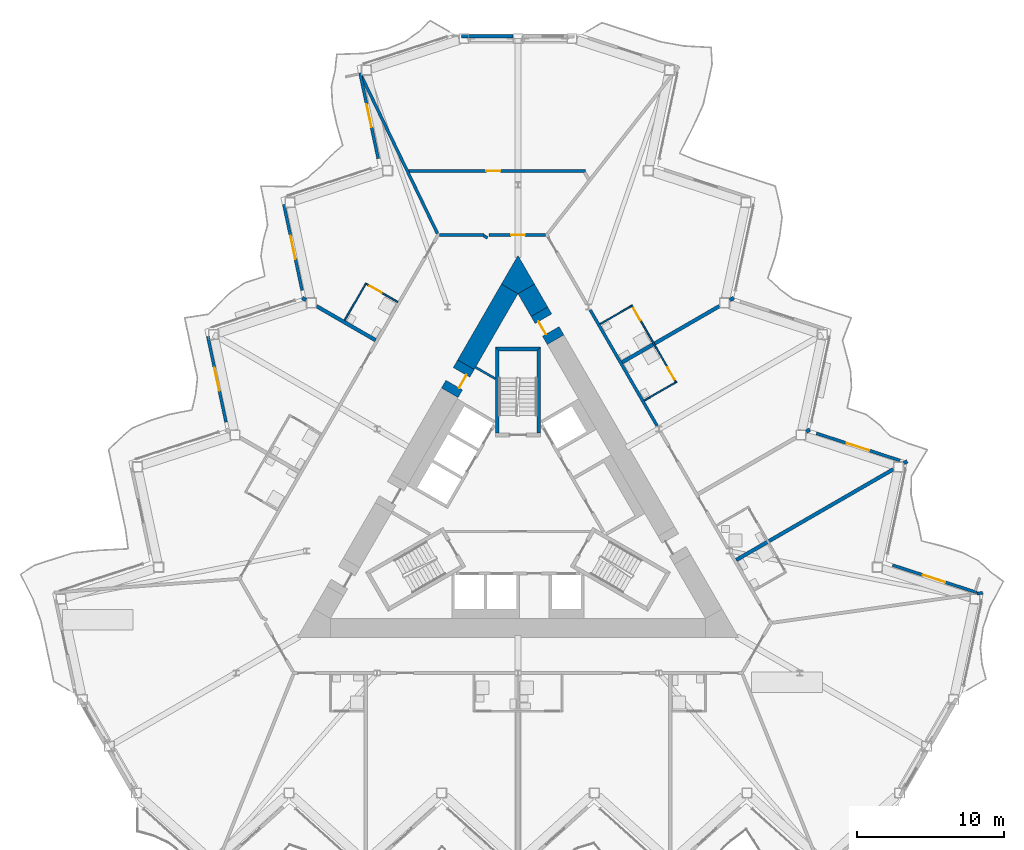
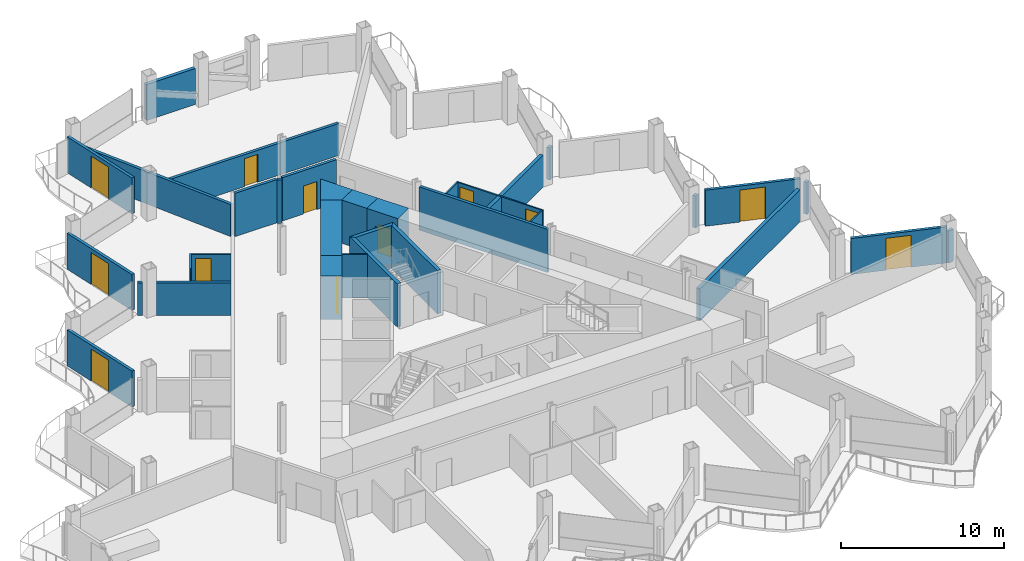
# One storey, part 14 of 24: 34 walls, 12 doors, 12 openings.
"""IFC4 building model written with IfcOpenShell, lengths in metres."""

from ifc_helpers import new_model, si_unit, direction, frame, frame_2d, origin, place, context, subcontext, project, spatial, polyline, rectangle, outline, extrude, material, layer, layer_set, type_object, element, fill, save


model = new_model("IFC4")

# Units and contexts
model_context = context("Model", 3, precision=1e-05, world=origin(), true_north=direction((0.0, 1.0)))
body_context = subcontext(model_context, "Body", "Model", "MODEL_VIEW")
ifc_project = project(units=[si_unit("LENGTHUNIT", "METRE"), si_unit("AREAUNIT", "SQUARE_METRE"), si_unit("VOLUMEUNIT", "CUBIC_METRE"), si_unit("PLANEANGLEUNIT", "RADIAN"), si_unit("MASSUNIT", "GRAM", prefix="KILO")], contexts=[model_context])

# Site, building, storey
site_placement = place(None, origin())
site = spatial("IfcSite", under=ifc_project, at=site_placement, CompositionType="ELEMENT")
building_placement = place(site_placement, origin())
building = spatial("IfcBuilding", under=site, at=building_placement, Name="Cormorant Prow Tower", CompositionType="ELEMENT")
storey_placement = place(building_placement, frame((0.0, 0.0, 231.0)))
storey = spatial("IfcBuildingStorey", under=building, at=storey_placement, Name="L50", CompositionType="ELEMENT", Elevation=231.0)

# Walls
ifc_material_1 = material(Name="Gypsum board partition")
ifc_layer_1 = layer(ifc_material_1, 0.14990234375)
ifc_layer_set_1 = layer_set([ifc_layer_1], Name="Gypsum board partition")
wall_type_1 = type_object("IfcWallType", Name="Core partition 150", PredefinedType="PARTITIONING", material=ifc_layer_set_1)
wall_1_placement = place(storey_placement, frame((-2.88623046875, 9.721435546875, 0.0), z_axis=(0.0, 0.0, 1.0), x_axis=(0.865990094875, -0.500061151839, 0.0)))
element("IfcWall", 1, at=wall_1_placement, inside=storey, type_object=wall_type_1, Name="Service room partition", PredefinedType="PARTITIONING", context=body_context, shape_type="SweptSolid", body=[
    extrude(rectangle(XDim=1.559814453125, YDim=0.14990234375, at=frame_2d((0.77978515625, 0.0))), origin(), (0.0, 0.0, 1.0), 3.25),
])
ifc_material_2 = material(Name="Concrete 8000 psi", Category="concrete")
ifc_layer_2 = layer(ifc_material_2, 1.300048828125)
ifc_layer_set_2 = layer_set([ifc_layer_2], Name="Concrete 8000 psi")
wall_type_2 = type_object("IfcWallType", Name="Core shear wall 1300", PredefinedType="SHEAR", material=ifc_layer_set_2)
wall_2_placement = place(storey_placement, frame((1.4560546875, 13.49853515625, 0.0), z_axis=(0.0, 0.0, 1.0), x_axis=(-0.499990639951, 0.866030807744, 0.0)))
element("IfcWall", 2, at=wall_2_placement, inside=storey, type_object=wall_type_2, Name="Core wall", PredefinedType="SHEAR", context=body_context, shape_type="SweptSolid", body=[
    extrude(rectangle(XDim=1.7861328125, YDim=1.300048828125, at=frame_2d((0.89306640625, 0.0))), origin(), (0.0, 0.0, 1.0), 3.25),
])
wall_3_placement = place(storey_placement, frame((-0.56298828125, 15.04541015625, 0.0), z_axis=(0.0, 0.0, 1.0), x_axis=(-0.500011498138, -0.866018765229, 0.0)))
element("IfcWall", 3, at=wall_3_placement, inside=storey, type_object=wall_type_2, Name="Core wall", PredefinedType="SHEAR", context=body_context, shape_type="SweptSolid", body=[
    extrude(rectangle(XDim=5.946533203125, YDim=1.300048828125, at=frame_2d((2.97314453125, 0.0))), origin(), (0.0, 0.0, 1.0), 3.25),
])
wall_4_placement = place(storey_placement, origin())
element("IfcWall", 4, at=wall_4_placement, inside=storey, type_object=wall_type_2, Name="Core wall corner", PredefinedType="SHEAR", context=body_context, shape_type="SweptSolid", body=[
    extrude(outline(polyline([(-1.125732421875, 15.37060546875), (0.0, 17.320556640625), (1.125732421875, 15.37060546875), (0.0, 14.720458984375), (-1.125732421875, 15.37060546875)])), origin(), (0.0, 0.0, 1.0), 3.25),
])

# Wall, opening, door
wall_5_placement = place(storey_placement, frame((-3.536376953125, 9.8955078125, 0.0), z_axis=(0.0, 0.0, 1.0), x_axis=(-0.499981787252, -0.866035918664, 0.0)))
wall_5 = element("IfcWall", 5, at=wall_5_placement, inside=storey, type_object=wall_type_2, Name="Core wall door panel", PredefinedType="SHEAR", context=body_context, shape_type="SweptSolid", body=[
    extrude(rectangle(XDim=2.2001953125, YDim=1.300048828125, at=frame_2d((1.10009765625, 0.0))), origin(), (0.0, 0.0, 1.0), 3.25),
])
opening_1_placement = place(wall_5_placement, frame((0.60009765625, 0.0, 0.0)))
opening_1 = element("IfcOpeningElement", 6, at=opening_1_placement, cuts=wall_5, Name="Opening L50-C16", PredefinedType="OPENING", context=body_context, shape_type="SweptSolid", body=[
    extrude(rectangle(XDim=1.0, YDim=2.10009765625, at=frame_2d((0.5, 1.050048828125))), frame((0.0, 0.659912109375, 0.0), z_axis=(0.0, -1.0, 0.0), x_axis=(1.0, 0.0, 0.0)), (0.0, 0.0, 1.0), 1.320068359375),
])
ifc_material_3 = material(Name="Painted steel", Category="steel")
door_type_1 = type_object("IfcDoorType", Name="Service door 1000x2100", OperationType="NOTDEFINED", PredefinedType="DOOR", material=ifc_material_3)
door_1_placement = place(opening_1_placement, origin())
door_1 = element("IfcDoor", 7, at=door_1_placement, inside=storey, type_object=door_type_1, Name="Core door, Linen store", OperationType="SINGLE_SWING_LEFT", OverallHeight=2.10009765625, OverallWidth=1.0, PredefinedType="DOOR", context=body_context, shape_type="SweptSolid", body=[
    extrude(rectangle(XDim=1.0, YDim=2.10009765625, at=frame_2d((0.5, 1.050048828125))), frame((0.0, 0.40478515625, 0.0), z_axis=(0.0, -1.0, 0.0), x_axis=(1.0, 0.0, 0.0)), (0.0, 0.0, 1.0), 0.050048828125),
])
fill(opening_1, door_1)

wall_6_placement = place(storey_placement, frame((2.555908203125, 11.59326171875, 0.0), z_axis=(0.0, 0.0, 1.0), x_axis=(-0.499946605688, 0.86605622881, 0.0)))
wall_6 = element("IfcWall", 8, at=wall_6_placement, inside=storey, type_object=wall_type_2, Name="Core wall door panel", PredefinedType="SHEAR", context=body_context, shape_type="SweptSolid", body=[
    extrude(rectangle(XDim=2.199951171875, YDim=1.300048828125, at=frame_2d((1.10009765625, 0.0))), origin(), (0.0, 0.0, 1.0), 3.25),
])
opening_2_placement = place(wall_6_placement, frame((0.64990234375, 0.0, 0.0)))
opening_2 = element("IfcOpeningElement", 9, at=opening_2_placement, cuts=wall_6, Name="Opening L50-C17", PredefinedType="OPENING", context=body_context, shape_type="SweptSolid", body=[
    extrude(rectangle(XDim=1.0, YDim=2.10009765625, at=frame_2d((0.5, 1.050048828125))), frame((0.0, 0.659912109375, 0.0), z_axis=(0.0, -1.0, 0.0), x_axis=(1.0, 0.0, 0.0)), (0.0, 0.0, 1.0), 1.320068359375),
])
door_2_placement = place(opening_2_placement, origin())
door_2 = element("IfcDoor", 10, at=door_2_placement, inside=storey, type_object=door_type_1, Name="Core door, Refuse store", OperationType="SINGLE_SWING_LEFT", OverallHeight=2.10009765625, OverallWidth=1.0, PredefinedType="DOOR", context=body_context, shape_type="SweptSolid", body=[
    extrude(rectangle(XDim=1.0, YDim=2.10009765625, at=frame_2d((0.5, 1.050048828125))), frame((0.0, 0.40478515625, 0.0), z_axis=(0.0, -1.0, 0.0), x_axis=(1.0, 0.0, 0.0)), (0.0, 0.0, 1.0), 0.050048828125),
])
fill(opening_2, door_2)

# Wall
ifc_material_4 = material(Name="Gypsum board corridor wall")
ifc_layer_3 = layer(ifc_material_4, 0.199951171875)
ifc_layer_set_3 = layer_set([ifc_layer_3], Name="Gypsum board corridor wall")
wall_type_3 = type_object("IfcWallType", Name="Corridor wall 200", PredefinedType="PARTITIONING", material=ifc_layer_set_3)
wall_7_placement = place(storey_placement, frame((4.91015625, 13.61572265625, 0.0), z_axis=(0.0, 0.0, 1.0), x_axis=(0.50000207303, -0.866024206917, 0.0)))
element("IfcWall", 11, at=wall_7_placement, inside=storey, type_object=wall_type_3, Name="Corridor wall", PredefinedType="PARTITIONING", context=body_context, shape_type="SweptSolid", body=[
    extrude(rectangle(XDim=9.0947265625, YDim=0.199951171875, at=frame_2d((4.54736328125, 0.0))), origin(), (0.0, 0.0, 1.0), 3.25),
])

# Wall, opening, door
wall_8_placement = place(storey_placement, frame((-1.962890625, 18.720458984375, 0.0), z_axis=(0.0, 0.0, 1.0), x_axis=(1.0, 0.0, 0.0)))
wall_8 = element("IfcWall", 12, at=wall_8_placement, inside=storey, type_object=wall_type_3, Name="Corridor wall", PredefinedType="PARTITIONING", context=body_context, shape_type="SweptSolid", body=[
    extrude(rectangle(XDim=3.825927734375, YDim=0.199951171875, at=frame_2d((1.9130859375, 0.0))), origin(), (0.0, 0.0, 1.0), 3.25),
])
opening_3_placement = place(wall_8_placement, frame((1.48974609375, 0.0, 0.0)))
opening_3 = element("IfcOpeningElement", 13, at=opening_3_placement, cuts=wall_8, Name="Opening L50-F18", PredefinedType="OPENING", context=body_context, shape_type="SweptSolid", body=[
    extrude(rectangle(XDim=0.949951171875, YDim=2.10009765625, at=frame_2d((0.47509765625, 1.050048828125))), frame((0.0, 0.10986328125, 0.0), z_axis=(0.0, -1.0, 0.0), x_axis=(1.0, 0.0, 0.0)), (0.0, 0.0, 1.0), 0.219970703125),
])
ifc_material_5 = material(Name="Timber door leaf", Category="wood")
door_type_2 = type_object("IfcDoorType", Name="Store door 950x2100", OperationType="NOTDEFINED", PredefinedType="DOOR", material=ifc_material_5)
door_3_placement = place(opening_3_placement, origin())
door_3 = element("IfcDoor", 14, at=door_3_placement, inside=storey, type_object=door_type_2, Name="Housekeeping room door", OperationType="SINGLE_SWING_RIGHT", OverallHeight=2.10009765625, OverallWidth=0.949951171875, PredefinedType="DOOR", context=body_context, shape_type="SweptSolid", body=[
    extrude(rectangle(XDim=0.949951171875, YDim=2.10009765625, at=frame_2d((0.47509765625, 1.050048828125))), frame((0.0, 0.02490234375, 0.0), z_axis=(0.0, -1.0, 0.0), x_axis=(1.0, 0.0, 0.0)), (0.0, 0.0, 1.0), 0.050048828125),
])
fill(opening_3, door_3)

# Walls
wall_9_placement = place(storey_placement, frame((-5.3271484375, 18.720458984375, 0.0), z_axis=(0.0, 0.0, 1.0), x_axis=(1.0, 0.0, 0.0)))
element("IfcWall", 15, at=wall_9_placement, inside=storey, type_object=wall_type_3, Name="Corridor wall", PredefinedType="PARTITIONING", context=body_context, shape_type="SweptSolid", body=[
    extrude(rectangle(XDim=3.002197265625, YDim=0.199951171875, at=frame_2d((1.5009765625, 0.0))), origin(), (0.0, 0.0, 1.0), 3.25),
])
wall_10_placement = place(storey_placement, frame((-2.33837890625, 18.67041015625, 0.0), z_axis=(0.0, 0.0, 1.0), x_axis=(0.866054481515, -0.499949632511, 0.0)))
element("IfcWall", 16, at=wall_10_placement, inside=storey, type_object=wall_type_3, Name="Corridor wall", PredefinedType="PARTITIONING", context=body_context, shape_type="SweptSolid", body=[
    extrude(rectangle(XDim=0.31005859375, YDim=0.199951171875, at=frame_2d((0.155029296875, 0.0))), origin(), (0.0, 0.0, 1.0), 3.25),
])
ifc_material_6 = material(Name="Gypsum board demising wall")
ifc_layer_4 = layer(ifc_material_6, 0.199951171875)
ifc_layer_set_4 = layer_set([ifc_layer_4], Name="Gypsum board demising wall")
wall_type_4 = type_object("IfcWallType", Name="Demising wall 200", PredefinedType="PARTITIONING", material=ifc_layer_set_4)
wall_11_placement = place(storey_placement, origin())
element("IfcWall", 17, at=wall_11_placement, inside=storey, type_object=wall_type_4, Name="Demising wall", PredefinedType="PARTITIONING", context=body_context, shape_type="SweptSolid", body=[
    extrude(outline(polyline([(-5.560791015625, 18.76708984375), (-10.4658203125, 28.92333984375), (-10.640380859375, 29.744873046875), (-5.380615234375, 18.85400390625), (-5.560791015625, 18.76708984375)])), origin(), (0.0, 0.0, 1.0), 2.404296875),
])

# Wall, opening, door
wall_12_placement = place(storey_placement, frame((-7.427978515625, 23.070556640625, 0.0), z_axis=(0.0, 0.0, 1.0), x_axis=(1.0, 0.0, 0.0)))
wall_12 = element("IfcWall", 18, at=wall_12_placement, inside=storey, type_object=wall_type_4, Name="Demising wall", PredefinedType="PARTITIONING", context=body_context, shape_type="SweptSolid", body=[
    extrude(rectangle(XDim=12.00244140625, YDim=0.199951171875, at=frame_2d((6.001220703125, 0.0))), origin(), (0.0, 0.0, 1.0), 2.404296875),
])
opening_4_placement = place(wall_12_placement, frame((5.27490234375, 0.0, 0.0)))
opening_4 = element("IfcOpeningElement", 19, at=opening_4_placement, cuts=wall_12, Name="Opening L50-F19", PredefinedType="OPENING", context=body_context, shape_type="SweptSolid", body=[
    extrude(rectangle(XDim=0.949951171875, YDim=2.10009765625, at=frame_2d((0.47509765625, 1.050048828125))), frame((0.0, 0.10986328125, 0.0), z_axis=(0.0, -1.0, 0.0), x_axis=(1.0, 0.0, 0.0)), (0.0, 0.0, 1.0), 0.219970703125),
])
door_4_placement = place(opening_4_placement, origin())
door_4 = element("IfcDoor", 20, at=door_4_placement, inside=storey, type_object=door_type_2, Name="Linen store door", OperationType="SINGLE_SWING_RIGHT", OverallHeight=2.10009765625, OverallWidth=0.949951171875, PredefinedType="DOOR", context=body_context, shape_type="SweptSolid", body=[
    extrude(rectangle(XDim=0.949951171875, YDim=2.10009765625, at=frame_2d((0.47509765625, 1.050048828125))), frame((0.0, 0.02490234375, 0.0), z_axis=(0.0, -1.0, 0.0), x_axis=(1.0, 0.0, 0.0)), (0.0, 0.0, 1.0), 0.050048828125),
])
fill(opening_4, door_4)

# Wall
wall_13_placement = place(storey_placement, frame((31.19580078125, -5.669189453125, 0.0), z_axis=(0.0, 0.0, 1.0), x_axis=(0.990010701632, 0.140992236146, 0.0)))
element("IfcWall", 21, at=wall_13_placement, inside=storey, type_object=wall_type_4, Name="Demising wall", PredefinedType="PARTITIONING", context=body_context, shape_type="SweptSolid", body=[
    extrude(rectangle(XDim=0.398193359375, YDim=0.199951171875, at=frame_2d((0.19921875, 0.0))), origin(), (0.0, 0.0, 1.0), 2.404296875),
])

# Wall, openings, doors
ifc_material_7 = material(Name="Gypsum board partition")
ifc_layer_5 = layer(ifc_material_7, 0.10009765625)
ifc_layer_set_5 = layer_set([ifc_layer_5], Name="Gypsum board partition")
wall_type_5 = type_object("IfcWallType", Name="Internal partition 100", PredefinedType="PARTITIONING", material=ifc_layer_set_5)
wall_14_placement = place(storey_placement, frame((7.71923828125, 13.950439453125, 0.0), z_axis=(0.0, 0.0, 1.0), x_axis=(0.500008851346, -0.866020293397, 0.0)))
wall_14 = element("IfcWall", 22, at=wall_14_placement, inside=storey, type_object=wall_type_5, Name="Internal partition", PredefinedType="PARTITIONING", context=body_context, shape_type="SweptSolid", body=[
    extrude(rectangle(XDim=6.10009765625, YDim=0.10009765625, at=frame_2d((3.050048828125, 0.0))), origin(), (0.0, 0.0, 1.0), 2.404296875),
])
opening_5_placement = place(wall_14_placement, frame((4.89990234375, 0.0, 0.0)))
opening_5 = element("IfcOpeningElement", 23, at=opening_5_placement, cuts=wall_14, Name="Opening L50-F15", PredefinedType="OPENING", context=body_context, shape_type="SweptSolid", body=[
    extrude(rectangle(XDim=0.949951171875, YDim=2.10009765625, at=frame_2d((0.47509765625, 1.050048828125))), frame((0.0, 0.06005859375, 0.0), z_axis=(0.0, -1.0, 0.0), x_axis=(1.0, 0.0, 0.0)), (0.0, 0.0, 1.0), 0.1201171875),
])
opening_6_placement = place(wall_14_placement, frame((0.25, 0.0, 0.0)))
opening_6 = element("IfcOpeningElement", 24, at=opening_6_placement, cuts=wall_14, Name="Opening L50-F17", PredefinedType="OPENING", context=body_context, shape_type="SweptSolid", body=[
    extrude(rectangle(XDim=0.949951171875, YDim=2.10009765625, at=frame_2d((0.47509765625, 1.050048828125))), frame((0.0, 0.06005859375, 0.0), z_axis=(0.0, -1.0, 0.0), x_axis=(1.0, 0.0, 0.0)), (0.0, 0.0, 1.0), 0.1201171875),
])
ifc_material_8 = material(Name="Timber door leaf", Category="wood")
door_type_3 = type_object("IfcDoorType", Name="Bathroom door 950x2100", OperationType="NOTDEFINED", PredefinedType="DOOR", material=ifc_material_8)
door_5_placement = place(opening_5_placement, origin())
door_5 = element("IfcDoor", 25, at=door_5_placement, inside=storey, type_object=door_type_3, Name="Junior suite door", OperationType="SINGLE_SWING_RIGHT", OverallHeight=2.10009765625, OverallWidth=0.949951171875, PredefinedType="DOOR", context=body_context, shape_type="SweptSolid", body=[
    extrude(rectangle(XDim=0.949951171875, YDim=2.10009765625, at=frame_2d((0.47509765625, 1.050048828125))), frame((0.0, 0.02490234375, 0.0), z_axis=(0.0, -1.0, 0.0), x_axis=(1.0, 0.0, 0.0)), (0.0, 0.0, 1.0), 0.050048828125),
])
fill(opening_5, door_5)
door_6_placement = place(opening_6_placement, origin())
door_6 = element("IfcDoor", 26, at=door_6_placement, inside=storey, type_object=door_type_3, Name="Executive suite bedroom door", OperationType="SINGLE_SWING_LEFT", OverallHeight=2.10009765625, OverallWidth=0.949951171875, PredefinedType="DOOR", context=body_context, shape_type="SweptSolid", body=[
    extrude(rectangle(XDim=0.949951171875, YDim=2.10009765625, at=frame_2d((0.47509765625, 1.050048828125))), frame((0.0, 0.02490234375, 0.0), z_axis=(0.0, -1.0, 0.0), x_axis=(1.0, 0.0, 0.0)), (0.0, 0.0, 1.0), 0.050048828125),
])
fill(opening_6, door_6)

# Walls
wall_15_placement = place(storey_placement, frame((-11.77978515625, 12.91748046875, 0.0), z_axis=(0.0, 0.0, 1.0), x_axis=(0.499999433879, 0.866025730634, 0.0)))
element("IfcWall", 27, at=wall_15_placement, inside=storey, type_object=wall_type_5, Name="Internal partition", PredefinedType="PARTITIONING", context=body_context, shape_type="SweptSolid", body=[
    extrude(rectangle(XDim=2.9248046875, YDim=0.10009765625, at=frame_2d((1.46240234375, 0.0))), origin(), (0.0, 0.0, 1.0), 2.404296875),
])
wall_16_placement = place(storey_placement, frame((8.5791015625, 7.4609375, 0.0), z_axis=(0.0, 0.0, 1.0), x_axis=(0.866014668023, 0.500018594424, 0.0)))
element("IfcWall", 28, at=wall_16_placement, inside=storey, type_object=wall_type_5, Name="Internal partition", PredefinedType="PARTITIONING", context=body_context, shape_type="SweptSolid", body=[
    extrude(rectangle(XDim=2.4501953125, YDim=0.10009765625, at=frame_2d((1.22509765625, 0.0))), origin(), (0.0, 0.0, 1.0), 2.404296875),
])

# Wall, opening, door
wall_17_placement = place(storey_placement, frame((-10.299072265625, 15.382080078125, 0.0), z_axis=(0.0, 0.0, 1.0), x_axis=(0.866057815567, -0.499943856944, 0.0)))
wall_17 = element("IfcWall", 29, at=wall_17_placement, inside=storey, type_object=wall_type_5, Name="Internal partition", PredefinedType="PARTITIONING", context=body_context, shape_type="SweptSolid", body=[
    extrude(rectangle(XDim=2.449951171875, YDim=0.10009765625, at=frame_2d((1.22509765625, 0.0))), origin(), (0.0, 0.0, 1.0), 2.404296875),
])
opening_7_placement = place(wall_17_placement, frame((0.25, 0.0, 0.0)))
opening_7 = element("IfcOpeningElement", 30, at=opening_7_placement, cuts=wall_17, Name="Opening L50-F21", PredefinedType="OPENING", context=body_context, shape_type="SweptSolid", body=[
    extrude(rectangle(XDim=0.949951171875, YDim=2.10009765625, at=frame_2d((0.47509765625, 1.050048828125))), frame((0.0, 0.06005859375, 0.0), z_axis=(0.0, -1.0, 0.0), x_axis=(1.0, 0.0, 0.0)), (0.0, 0.0, 1.0), 0.1201171875),
])
door_7_placement = place(opening_7_placement, origin())
door_7 = element("IfcDoor", 31, at=door_7_placement, inside=storey, type_object=door_type_3, Name="Executive suite bedroom door", OperationType="SINGLE_SWING_LEFT", OverallHeight=2.10009765625, OverallWidth=0.949951171875, PredefinedType="DOOR", context=body_context, shape_type="SweptSolid", body=[
    extrude(rectangle(XDim=0.949951171875, YDim=2.10009765625, at=frame_2d((0.47509765625, 1.050048828125))), frame((0.0, 0.02490234375, 0.0), z_axis=(0.0, -1.0, 0.0), x_axis=(1.0, 0.0, 0.0)), (0.0, 0.0, 1.0), 0.050048828125),
])
fill(opening_7, door_7)

# Walls
wall_18_placement = place(storey_placement, frame((5.5791015625, 12.6572265625, 0.0), z_axis=(0.0, 0.0, 1.0), x_axis=(0.866057815567, 0.499943856944, 0.0)))
element("IfcWall", 32, at=wall_18_placement, inside=storey, type_object=wall_type_5, Name="Internal partition", PredefinedType="PARTITIONING", context=body_context, shape_type="SweptSolid", body=[
    extrude(rectangle(XDim=2.449951171875, YDim=0.10009765625, at=frame_2d((1.22509765625, 0.0))), origin(), (0.0, 0.0, 1.0), 2.404296875),
])
ifc_material_9 = material(Name="Concrete 8000 psi", Category="concrete")
ifc_layer_6 = layer(ifc_material_9, 0.25)
ifc_layer_set_6 = layer_set([ifc_layer_6], Name="Concrete 8000 psi")
wall_type_6 = type_object("IfcWallType", Name="Stair wall 250", PredefinedType="SHEAR", material=ifc_layer_set_6)
wall_19_placement = place(storey_placement, origin())
element("IfcWall", 33, at=wall_19_placement, inside=storey, type_object=wall_type_6, Name="Stair ST3 enclosure wall (flank)", PredefinedType="SHEAR", context=body_context, shape_type="SweptSolid", body=[
    extrude(outline(polyline([(1.5439453125, 5.23681640625), (1.5439453125, 11.0869140625), (1.2939453125, 10.8369140625), (1.2939453125, 5.23681640625), (1.5439453125, 5.23681640625)])), origin(), (0.0, 0.0, 1.0), 3.25),
])
wall_20_placement = place(storey_placement, origin())
element("IfcWall", 34, at=wall_20_placement, inside=storey, type_object=wall_type_6, Name="Stair ST3 enclosure wall (end)", PredefinedType="SHEAR", context=body_context, shape_type="SweptSolid", body=[
    extrude(outline(polyline([(1.5439453125, 11.0869140625), (-1.5439453125, 11.0869140625), (-1.2939453125, 10.8369140625), (1.2939453125, 10.8369140625), (1.5439453125, 11.0869140625)])), origin(), (0.0, 0.0, 1.0), 3.25),
])
wall_21_placement = place(storey_placement, origin())
element("IfcWall", 35, at=wall_21_placement, inside=storey, type_object=wall_type_6, Name="Stair ST3 enclosure wall (flank)", PredefinedType="SHEAR", context=body_context, shape_type="SweptSolid", body=[
    extrude(outline(polyline([(-1.2939453125, 10.8369140625), (-1.5439453125, 11.0869140625), (-1.5439453125, 5.23681640625), (-1.2939453125, 5.23681640625), (-1.2939453125, 10.8369140625)])), origin(), (0.0, 0.0, 1.0), 3.25),
])
ifc_material_10 = material(Name="Acoustic gypsum party wall")
ifc_layer_7 = layer(ifc_material_10, 0.25)
ifc_layer_set_7 = layer_set([ifc_layer_7], Name="Acoustic gypsum party wall")
wall_type_7 = type_object("IfcWallType", Name="Suite party wall 250", PredefinedType="PARTITIONING", material=ifc_layer_set_7)
wall_22_placement = place(storey_placement, frame((14.8369140625, -3.3779296875, 0.0), z_axis=(0.0, 0.0, 1.0), x_axis=(0.866021706022, 0.500006404657, 0.0)))
element("IfcWall", 36, at=wall_22_placement, inside=storey, type_object=wall_type_7, Name="Suite party wall", PredefinedType="PARTITIONING", context=body_context, shape_type="SweptSolid", body=[
    extrude(rectangle(XDim=12.329833984375, YDim=0.25, at=frame_2d((6.1650390625, 0.0))), origin(), (0.0, 0.0, 1.0), 2.404296875),
])
wall_23_placement = place(storey_placement, frame((7.0791015625, 10.05908203125, 0.0), z_axis=(0.0, 0.0, 1.0), x_axis=(0.866033195618, 0.499986503906, 0.0)))
element("IfcWall", 37, at=wall_23_placement, inside=storey, type_object=wall_type_7, Name="Suite party wall", PredefinedType="PARTITIONING", context=body_context, shape_type="SweptSolid", body=[
    extrude(rectangle(XDim=7.630126953125, YDim=0.25, at=frame_2d((3.81494140625, 0.0))), origin(), (0.0, 0.0, 1.0), 2.404296875),
])
wall_24_placement = place(storey_placement, frame((-13.68701171875, 13.8740234375, 0.0), z_axis=(0.0, 0.0, 1.0), x_axis=(0.866034555462, -0.499984148495, 0.0)))
element("IfcWall", 38, at=wall_24_placement, inside=storey, type_object=wall_type_7, Name="Suite party wall", PredefinedType="PARTITIONING", context=body_context, shape_type="SweptSolid", body=[
    extrude(rectangle(XDim=4.630126953125, YDim=0.25, at=frame_2d((2.31494140625, 0.0))), origin(), (0.0, 0.0, 1.0), 2.404296875),
])
for number, where, z_axis, x_axis, name in (
    (39, (14.406982421875, 14.289794921875, 0.0), (0.0, 0.0, 1.0), (0.865888485494, 0.500237074485, 0.0), "Suite party wall"),
    (40, (-14.667724609375, 14.4404296875, 0.0), (0.0, 0.0, 1.0), (0.865888485494, -0.500237074485, 0.0), "Suite party wall"),
):
    element("IfcWall", number, at=place(storey_placement, frame(where, z_axis=z_axis, x_axis=x_axis)), inside=storey, type_object=wall_type_7, Name=name, PredefinedType="PARTITIONING", context=body_context, shape_type="SweptSolid", body=[
        extrude(rectangle(XDim=0.301025390625, YDim=0.25, at=frame_2d((0.150390625, 0.0))), origin(), (0.0, 0.0, 1.0), 2.404296875),
    ])
wall_25_placement = place(storey_placement, frame((19.59521484375, 5.34130859375, 0.0), z_axis=(0.0, 0.0, 1.0), x_axis=(0.865998287773, 0.500046963369, 0.0)))
element("IfcWall", 41, at=wall_25_placement, inside=storey, type_object=wall_type_7, Name="Suite party wall", PredefinedType="PARTITIONING", context=body_context, shape_type="SweptSolid", body=[
    extrude(rectangle(XDim=0.2822265625, YDim=0.25, at=frame_2d((0.14111328125, 0.0))), origin(), (0.0, 0.0, 1.0), 2.404296875),
])
wall_26_placement = place(storey_placement, frame((26.23486328125, 3.20263671875, 0.0), z_axis=(0.0, 0.0, 1.0), x_axis=(0.86596515875, 0.500104332946, 0.0)))
element("IfcWall", 42, at=wall_26_placement, inside=storey, type_object=wall_type_7, Name="Suite party wall", PredefinedType="PARTITIONING", context=body_context, shape_type="SweptSolid", body=[
    extrude(rectangle(XDim=0.25830078125, YDim=0.25, at=frame_2d((0.129150390625, 0.0))), origin(), (0.0, 0.0, 1.0), 2.404296875),
])
ifc_material_11 = material(Name="Terracotta", Category="masonry")
ifc_layer_8 = layer(ifc_material_11, 0.25)
ifc_layer_set_8 = layer_set([ifc_layer_8], Name="Terracotta")
wall_type_8 = type_object("IfcWallType", Name="Terracotta bay wall 250", PredefinedType="SOLIDWALL", material=ifc_layer_set_8)
wall_27_placement = place(storey_placement, frame((-0.35009765625, 32.2314453125, 0.0), z_axis=(0.0, 0.0, 1.0), x_axis=(-1.0, 0.0, 0.0)))
element("IfcWall", 43, at=wall_27_placement, inside=storey, type_object=wall_type_8, Name="Terracotta bay wall N01", PredefinedType="SOLIDWALL", context=body_context, shape_type="SweptSolid", body=[
    extrude(rectangle(XDim=3.472900390625, YDim=0.25, at=frame_2d((1.736328125, 0.0))), origin(), (0.0, 0.0, 1.0), 2.700927734375),
])

# Wall, opening, door
ifc_material_12 = material(Name="Terracotta", Category="masonry")
ifc_layer_9 = layer(ifc_material_12, 0.199951171875)
ifc_layer_set_9 = layer_set([ifc_layer_9], Name="Terracotta")
wall_type_9 = type_object("IfcWallType", Name="Terracotta jamb wall 200", PredefinedType="SOLIDWALL", material=ifc_layer_set_9)
wall_28_placement = place(storey_placement, frame((31.183837890625, -5.586181640625, 0.0), z_axis=(0.0, 0.0, 1.0), x_axis=(-0.95106415783, 0.30899347516, 0.0)))
wall_28 = element("IfcWall", 44, at=wall_28_placement, inside=storey, type_object=wall_type_9, Name="Terracotta jamb wall ENE01", PredefinedType="SOLIDWALL", context=body_context, shape_type="SweptSolid", body=[
    extrude(rectangle(XDim=6.021484375, YDim=0.199951171875, at=frame_2d((3.0107421875, 0.0))), origin(), (0.0, 0.0, 1.0), 2.700927734375),
])
opening_8_placement = place(wall_28_placement, frame((2.24267578125, 0.0, 0.0)))
opening_8 = element("IfcOpeningElement", 45, at=opening_8_placement, cuts=wall_28, Name="Opening ED50.06", PredefinedType="OPENING", context=body_context, shape_type="SweptSolid", body=[
    extrude(rectangle(XDim=1.60009765625, YDim=2.39990234375, at=frame_2d((0.800048828125, 1.199951171875))), frame((0.0, 0.10986328125, 0.0), z_axis=(0.0, -1.0, 0.0), x_axis=(1.0, 0.0, 0.0)), (0.0, 0.0, 1.0), 0.219970703125),
])
ifc_material_13 = material(Name="Aluminium 6063-T6", Category="aluminium")
door_type_4 = type_object("IfcDoorType", Name="Balcony door 1600x2400", OperationType="DOUBLE_DOOR_SINGLE_SWING", PredefinedType="DOOR", material=ifc_material_13)
door_8_placement = place(opening_8_placement, origin())
door_8 = element("IfcDoor", 46, at=door_8_placement, inside=storey, type_object=door_type_4, Name="Balcony door ENE01 ED50.06", OperationType="DOUBLE_DOOR_SINGLE_SWING", OverallHeight=2.39990234375, OverallWidth=1.60009765625, PredefinedType="DOOR", context=body_context, shape_type="SweptSolid", body=[
    extrude(rectangle(XDim=1.60009765625, YDim=2.39990234375, at=frame_2d((0.800048828125, 1.199951171875))), frame((0.0, 0.02490234375, 0.0), z_axis=(0.0, -1.0, 0.0), x_axis=(1.0, 0.0, 0.0)), (0.0, 0.0, 1.0), 0.050048828125),
])
fill(opening_8, door_8)

wall_29_placement = place(storey_placement, frame((25.9765625, 3.38330078125, 0.0), z_axis=(0.0, 0.0, 1.0), x_axis=(-0.951062846307, 0.308997511922, 0.0)))
wall_29 = element("IfcWall", 47, at=wall_29_placement, inside=storey, type_object=wall_type_9, Name="Terracotta jamb wall ENE03", PredefinedType="SOLIDWALL", context=body_context, shape_type="SweptSolid", body=[
    extrude(rectangle(XDim=5.984375, YDim=0.199951171875, at=frame_2d((2.9921875, 0.0))), origin(), (0.0, 0.0, 1.0), 2.700927734375),
])
opening_9_placement = place(wall_29_placement, frame((2.20556640625, 0.0, 0.0)))
opening_9 = element("IfcOpeningElement", 48, at=opening_9_placement, cuts=wall_29, Name="Opening ED50.07", PredefinedType="OPENING", context=body_context, shape_type="SweptSolid", body=[
    extrude(rectangle(XDim=1.60009765625, YDim=2.39990234375, at=frame_2d((0.800048828125, 1.199951171875))), frame((0.0, 0.10986328125, 0.0), z_axis=(0.0, -1.0, 0.0), x_axis=(1.0, 0.0, 0.0)), (0.0, 0.0, 1.0), 0.219970703125),
])
door_9_placement = place(opening_9_placement, origin())
door_9 = element("IfcDoor", 49, at=door_9_placement, inside=storey, type_object=door_type_4, Name="Balcony door ENE03 ED50.07", OperationType="DOUBLE_DOOR_SINGLE_SWING", OverallHeight=2.39990234375, OverallWidth=1.60009765625, PredefinedType="DOOR", context=body_context, shape_type="SweptSolid", body=[
    extrude(rectangle(XDim=1.60009765625, YDim=2.39990234375, at=frame_2d((0.800048828125, 1.199951171875))), frame((0.0, 0.02490234375, 0.0), z_axis=(0.0, -1.0, 0.0), x_axis=(1.0, 0.0, 0.0)), (0.0, 0.0, 1.0), 0.050048828125),
])
fill(opening_9, door_9)

wall_30_placement = place(storey_placement, frame((-10.74072265625, 29.736572265625, 0.0), z_axis=(0.0, 0.0, 1.0), x_axis=(0.207891593624, -0.978151872308, 0.0)))
wall_30 = element("IfcWall", 50, at=wall_30_placement, inside=storey, type_object=wall_type_9, Name="Terracotta jamb wall WNW01", PredefinedType="SOLIDWALL", context=body_context, shape_type="SweptSolid", body=[
    extrude(rectangle(XDim=5.95751953125, YDim=0.199951171875, at=frame_2d((2.978759765625, 0.0))), origin(), (0.0, 0.0, 1.0), 2.700927734375),
])
opening_10_placement = place(wall_30_placement, frame((2.1787109375, 0.0, 0.0)))
opening_10 = element("IfcOpeningElement", 51, at=opening_10_placement, cuts=wall_30, Name="Opening ED50.11", PredefinedType="OPENING", context=body_context, shape_type="SweptSolid", body=[
    extrude(rectangle(XDim=1.60009765625, YDim=2.39990234375, at=frame_2d((0.800048828125, 1.199951171875))), frame((0.0, 0.10986328125, 0.0), z_axis=(0.0, -1.0, 0.0), x_axis=(1.0, 0.0, 0.0)), (0.0, 0.0, 1.0), 0.219970703125),
])
door_10_placement = place(opening_10_placement, origin())
door_10 = element("IfcDoor", 52, at=door_10_placement, inside=storey, type_object=door_type_4, Name="Balcony door WNW01 ED50.11", OperationType="DOUBLE_DOOR_SINGLE_SWING", OverallHeight=2.39990234375, OverallWidth=1.60009765625, PredefinedType="DOOR", context=body_context, shape_type="SweptSolid", body=[
    extrude(rectangle(XDim=1.60009765625, YDim=2.39990234375, at=frame_2d((0.800048828125, 1.199951171875))), frame((0.0, 0.02490234375, 0.0), z_axis=(0.0, -1.0, 0.0), x_axis=(1.0, 0.0, 0.0)), (0.0, 0.0, 1.0), 0.050048828125),
])
fill(opening_10, door_10)

wall_31_placement = place(storey_placement, frame((-15.912841796875, 20.778564453125, 0.0), z_axis=(0.0, 0.0, 1.0), x_axis=(0.207930802022, -0.978143538327, 0.0)))
wall_31 = element("IfcWall", 53, at=wall_31_placement, inside=storey, type_object=wall_type_9, Name="Terracotta jamb wall WNW03", PredefinedType="SOLIDWALL", context=body_context, shape_type="SweptSolid", body=[
    extrude(rectangle(XDim=5.95751953125, YDim=0.199951171875, at=frame_2d((2.978759765625, 0.0))), origin(), (0.0, 0.0, 1.0), 2.700927734375),
])
opening_11_placement = place(wall_31_placement, frame((2.1787109375, 0.0, 0.0)))
opening_11 = element("IfcOpeningElement", 54, at=opening_11_placement, cuts=wall_31, Name="Opening ED50.12", PredefinedType="OPENING", context=body_context, shape_type="SweptSolid", body=[
    extrude(rectangle(XDim=1.60009765625, YDim=2.39990234375, at=frame_2d((0.800048828125, 1.199951171875))), frame((0.0, 0.10986328125, 0.0), z_axis=(0.0, -1.0, 0.0), x_axis=(1.0, 0.0, 0.0)), (0.0, 0.0, 1.0), 0.219970703125),
])
door_11_placement = place(opening_11_placement, origin())
door_11 = element("IfcDoor", 55, at=door_11_placement, inside=storey, type_object=door_type_4, Name="Balcony door WNW03 ED50.12", OperationType="DOUBLE_DOOR_SINGLE_SWING", OverallHeight=2.39990234375, OverallWidth=1.60009765625, PredefinedType="DOOR", context=body_context, shape_type="SweptSolid", body=[
    extrude(rectangle(XDim=1.60009765625, YDim=2.39990234375, at=frame_2d((0.800048828125, 1.199951171875))), frame((0.0, 0.02490234375, 0.0), z_axis=(0.0, -1.0, 0.0), x_axis=(1.0, 0.0, 0.0)), (0.0, 0.0, 1.0), 0.050048828125),
])
fill(opening_11, door_11)

wall_32_placement = place(storey_placement, frame((-21.084716796875, 11.820556640625, 0.0), z_axis=(0.0, 0.0, 1.0), x_axis=(0.207930802022, -0.978143538327, 0.0)))
wall_32 = element("IfcWall", 56, at=wall_32_placement, inside=storey, type_object=wall_type_9, Name="Terracotta jamb wall WNW05", PredefinedType="SOLIDWALL", context=body_context, shape_type="SweptSolid", body=[
    extrude(rectangle(XDim=5.95751953125, YDim=0.199951171875, at=frame_2d((2.978759765625, 0.0))), origin(), (0.0, 0.0, 1.0), 2.700927734375),
])
opening_12_placement = place(wall_32_placement, frame((2.1787109375, 0.0, 0.0)))
opening_12 = element("IfcOpeningElement", 57, at=opening_12_placement, cuts=wall_32, Name="Opening ED50.13", PredefinedType="OPENING", context=body_context, shape_type="SweptSolid", body=[
    extrude(rectangle(XDim=1.60009765625, YDim=2.39990234375, at=frame_2d((0.800048828125, 1.199951171875))), frame((0.0, 0.10986328125, 0.0), z_axis=(0.0, -1.0, 0.0), x_axis=(1.0, 0.0, 0.0)), (0.0, 0.0, 1.0), 0.219970703125),
])
door_12_placement = place(opening_12_placement, origin())
door_12 = element("IfcDoor", 58, at=door_12_placement, inside=storey, type_object=door_type_4, Name="Balcony door WNW05 ED50.13", OperationType="DOUBLE_DOOR_SINGLE_SWING", OverallHeight=2.39990234375, OverallWidth=1.60009765625, PredefinedType="DOOR", context=body_context, shape_type="SweptSolid", body=[
    extrude(rectangle(XDim=1.60009765625, YDim=2.39990234375, at=frame_2d((0.800048828125, 1.199951171875))), frame((0.0, 0.02490234375, 0.0), z_axis=(0.0, -1.0, 0.0), x_axis=(1.0, 0.0, 0.0)), (0.0, 0.0, 1.0), 0.050048828125),
])
fill(opening_12, door_12)

save(model, "model.ifc")
